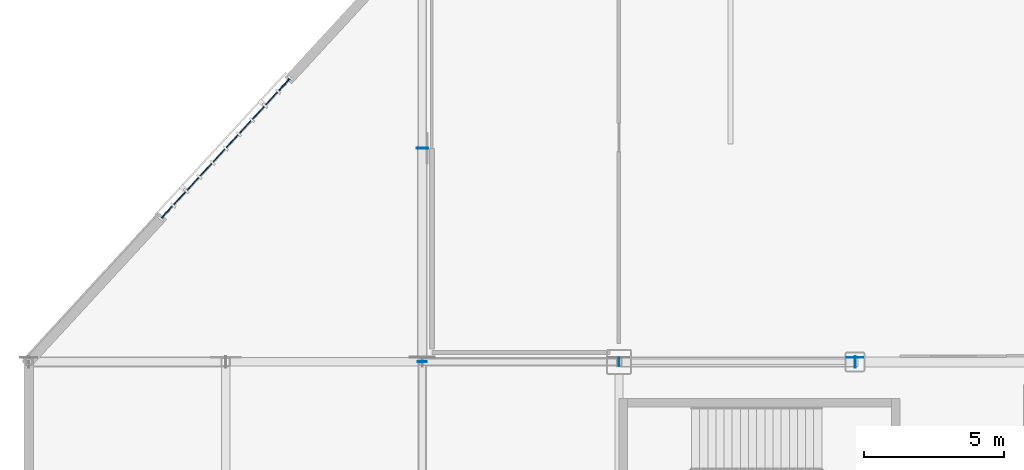
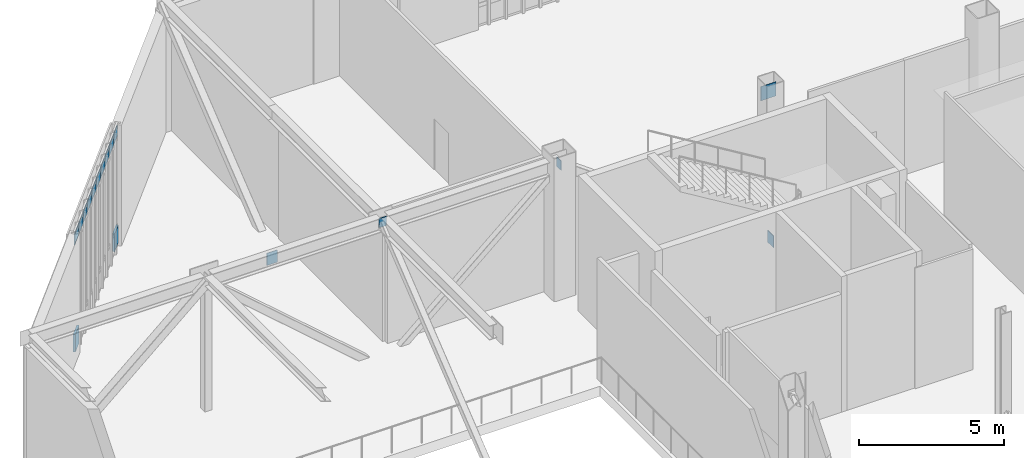
# One storey, part 95 of 135: 17 plates, 1 element without a shape of its own.
"""IFC4 building model written with IfcOpenShell, lengths in metres."""

from ifc_helpers import new_model, si_unit, direction, frame, origin, origin_2d, place, context, subcontext, project, spatial, rectangle, extrude, material, layer, layer_set, type_object, element, aggregate, save


model = new_model("IFC4")

# Units and contexts
model_context = context("Model", 3, precision=1e-05, world=origin(), true_north=direction((0.0, 1.0)))
body_context = subcontext(model_context, "Body", "Model", "MODEL_VIEW")
ifc_project = project(units=[si_unit("LENGTHUNIT", "METRE"), si_unit("AREAUNIT", "SQUARE_METRE"), si_unit("VOLUMEUNIT", "CUBIC_METRE"), si_unit("PLANEANGLEUNIT", "RADIAN"), si_unit("MASSUNIT", "GRAM", prefix="KILO")], contexts=[model_context])

# Site, building, storey
site_placement = place(None, origin())
site = spatial("IfcSite", under=ifc_project, at=site_placement, CompositionType="ELEMENT")
building_placement = place(site_placement, origin())
building = spatial("IfcBuilding", under=site, at=building_placement, Name="Larkvane Passage Sports Hall", CompositionType="ELEMENT")
storey_placement = place(building_placement, frame((0.0, 0.0, 10.800048828125)))
storey = spatial("IfcBuildingStorey", under=building, at=storey_placement, Name="L02", CompositionType="ELEMENT", Elevation=10.800048828125)

# Curtain wall, plates
ifc_material_1 = material(Name="Thermally broken aluminium and low-E glazing", Category="aluminium")
curtain_wall_type = type_object("IfcCurtainWallType", Name="CW-UNIT-VEIL", PredefinedType="USERDEFINED", material=ifc_material_1)
curtain_wall_placement = place(storey_placement, origin())
curtain_wall = element("IfcCurtainWall", 1, at=curtain_wall_placement, inside=storey, type_object=curtain_wall_type, Name="Curtain wall CW5-L02-097", ObjectType="UNITISED CURTAIN WALL", PredefinedType="USERDEFINED")
ifc_material_2 = material(Name="Mineral-wool insulated spandrel cassette")
ifc_layer_1 = layer(ifc_material_2, 0.0849609375)
ifc_layer_set_1 = layer_set([ifc_layer_1], Name="Mineral-wool insulated spandrel cassette")
plate_type_1 = type_object("IfcPlateType", Name="CWP-SPD-85", PredefinedType="CURTAIN_PANEL", material=ifc_layer_set_1)
plate_1_placement = place(storey_placement, frame((18.712646484375, 96.933837890625, 0.07470703125), z_axis=(0.0, 0.0, 1.0), x_axis=(0.677475341367, 0.735545485908, 0.0)))
plate_1 = element("IfcPlate", 2, at=plate_1_placement, type_object=plate_type_1, Name="CW-02 panel 1.1", PredefinedType="CURTAIN_PANEL", context=body_context, shape_type="SweptSolid", body=[
    extrude(rectangle(XDim=0.576416015625, YDim=0.0849609375, at=origin_2d()), origin(), (0.0, 0.0, 1.0), 0.737548828125),
])
plate_2_placement = place(storey_placement, frame((22.88720703125, 101.466064453125, 0.07470703125), z_axis=(0.0, 0.0, 1.0), x_axis=(0.677475341367, 0.735545485908, 0.0)))
plate_2 = element("IfcPlate", 3, at=plate_2_placement, type_object=plate_type_1, Name="CW-02 panel 10.1", PredefinedType="CURTAIN_PANEL", context=body_context, shape_type="SweptSolid", body=[
    extrude(rectangle(XDim=0.576416015625, YDim=0.0849609375, at=origin_2d()), origin(), (0.0, 0.0, 1.0), 0.737548828125),
])
ifc_material_3 = material(Name="Laminated acoustic low-E glazing", Category="glass")
ifc_layer_2 = layer(ifc_material_3, 0.031982421875)
ifc_layer_set_2 = layer_set([ifc_layer_2], Name="Laminated acoustic low-E glazing")
plate_type_2 = type_object("IfcPlateType", Name="CWP-VIS-32", PredefinedType="CURTAIN_PANEL", material=ifc_layer_set_2)
plate_3_placement = place(storey_placement, frame((18.712646484375, 96.933837890625, 4.5673828125), z_axis=(0.0, 0.0, 1.0), x_axis=(0.677475341367, 0.735545485908, 0.0)))
plate_3 = element("IfcPlate", 4, at=plate_3_placement, type_object=plate_type_2, Name="CW-02 panel 1.3", PredefinedType="CURTAIN_PANEL", context=body_context, shape_type="SweptSolid", body=[
    extrude(rectangle(XDim=0.576416015625, YDim=0.031982421875, at=origin_2d()), origin(), (0.0, 0.0, 1.0), 0.4375),
])
plate_4_placement = place(storey_placement, frame((19.166748046875, 97.4267578125, 4.5673828125), z_axis=(0.0, 0.0, 1.0), x_axis=(0.677475341367, 0.735545485908, 0.0)))
plate_4 = element("IfcPlate", 5, at=plate_4_placement, type_object=plate_type_2, Name="CW-02 panel 2.3", PredefinedType="CURTAIN_PANEL", context=body_context, shape_type="SweptSolid", body=[
    extrude(rectangle(XDim=0.61376953125, YDim=0.031982421875, at=origin_2d()), origin(), (0.0, 0.0, 1.0), 0.4375),
])
plate_5_placement = place(storey_placement, frame((19.63330078125, 97.933349609375, 4.5673828125), z_axis=(0.0, 0.0, 1.0), x_axis=(0.677475341367, 0.735545485908, 0.0)))
plate_5 = element("IfcPlate", 6, at=plate_5_placement, type_object=plate_type_2, Name="CW-02 panel 3.3", PredefinedType="CURTAIN_PANEL", context=body_context, shape_type="SweptSolid", body=[
    extrude(rectangle(XDim=0.61376953125, YDim=0.031982421875, at=origin_2d()), origin(), (0.0, 0.0, 1.0), 0.4375),
])
plate_6_placement = place(storey_placement, frame((20.10009765625, 98.43994140625, 4.5673828125), z_axis=(0.0, 0.0, 1.0), x_axis=(0.677475341367, 0.735545485908, 0.0)))
plate_6 = element("IfcPlate", 7, at=plate_6_placement, type_object=plate_type_2, Name="CW-02 panel 4.3", PredefinedType="CURTAIN_PANEL", context=body_context, shape_type="SweptSolid", body=[
    extrude(rectangle(XDim=0.61376953125, YDim=0.031982421875, at=origin_2d()), origin(), (0.0, 0.0, 1.0), 0.4375),
])
plate_7_placement = place(storey_placement, frame((20.566650390625, 98.94677734375, 4.5673828125), z_axis=(0.0, 0.0, 1.0), x_axis=(0.677475341367, 0.735545485908, 0.0)))
plate_7 = element("IfcPlate", 8, at=plate_7_placement, type_object=plate_type_2, Name="CW-02 panel 5.3", PredefinedType="CURTAIN_PANEL", context=body_context, shape_type="SweptSolid", body=[
    extrude(rectangle(XDim=0.61376953125, YDim=0.031982421875, at=origin_2d()), origin(), (0.0, 0.0, 1.0), 0.4375),
])
plate_8_placement = place(storey_placement, frame((21.033447265625, 99.453369140625, 4.5673828125), z_axis=(0.0, 0.0, 1.0), x_axis=(0.677475341367, 0.735545485908, 0.0)))
plate_8 = element("IfcPlate", 9, at=plate_8_placement, type_object=plate_type_2, Name="CW-02 panel 6.3", PredefinedType="CURTAIN_PANEL", context=body_context, shape_type="SweptSolid", body=[
    extrude(rectangle(XDim=0.61376953125, YDim=0.031982421875, at=origin_2d()), origin(), (0.0, 0.0, 1.0), 0.4375),
])
plate_9_placement = place(storey_placement, frame((21.5, 99.9599609375, 4.5673828125), z_axis=(0.0, 0.0, 1.0), x_axis=(0.677475341367, 0.735545485908, 0.0)))
plate_9 = element("IfcPlate", 10, at=plate_9_placement, type_object=plate_type_2, Name="CW-02 panel 7.3", PredefinedType="CURTAIN_PANEL", context=body_context, shape_type="SweptSolid", body=[
    extrude(rectangle(XDim=0.61376953125, YDim=0.031982421875, at=origin_2d()), origin(), (0.0, 0.0, 1.0), 0.4375),
])
plate_10_placement = place(storey_placement, frame((21.966552734375, 100.466552734375, 4.5673828125), z_axis=(0.0, 0.0, 1.0), x_axis=(0.677475341367, 0.735545485908, 0.0)))
plate_10 = element("IfcPlate", 11, at=plate_10_placement, type_object=plate_type_2, Name="CW-02 panel 8.3", PredefinedType="CURTAIN_PANEL", context=body_context, shape_type="SweptSolid", body=[
    extrude(rectangle(XDim=0.61376953125, YDim=0.031982421875, at=origin_2d()), origin(), (0.0, 0.0, 1.0), 0.4375),
])
plate_11_placement = place(storey_placement, frame((22.433349609375, 100.973388671875, 4.5673828125), z_axis=(0.0, 0.0, 1.0), x_axis=(0.677475341367, 0.735545485908, 0.0)))
plate_11 = element("IfcPlate", 12, at=plate_11_placement, type_object=plate_type_2, Name="CW-02 panel 9.3", PredefinedType="CURTAIN_PANEL", context=body_context, shape_type="SweptSolid", body=[
    extrude(rectangle(XDim=0.61376953125, YDim=0.031982421875, at=origin_2d()), origin(), (0.0, 0.0, 1.0), 0.4375),
])
plate_12_placement = place(storey_placement, frame((22.88720703125, 101.466064453125, 4.5673828125), z_axis=(0.0, 0.0, 1.0), x_axis=(0.677475341367, 0.735545485908, 0.0)))
plate_12 = element("IfcPlate", 13, at=plate_12_placement, type_object=plate_type_2, Name="CW-02 panel 10.3", PredefinedType="CURTAIN_PANEL", context=body_context, shape_type="SweptSolid", body=[
    extrude(rectangle(XDim=0.576416015625, YDim=0.031982421875, at=origin_2d()), origin(), (0.0, 0.0, 1.0), 0.4375),
])
aggregate(curtain_wall, [plate_1, plate_3, plate_4, plate_5, plate_6, plate_7, plate_8, plate_9, plate_10, plate_11, plate_2, plate_12])

# Plates
ifc_material_4 = material(Name="Steel S355JR", Category="steel")
ifc_layer_3 = layer(ifc_material_4, 0.011962890625)
ifc_layer_set_3 = layer_set([ifc_layer_3], Name="Steel S355JR")
plate_type_3 = type_object("IfcPlateType", Name="PLT-CAP-12", PredefinedType="SHEET", material=ifc_layer_set_3)
plate_13_placement = place(storey_placement, frame((34.804443359375, 91.60009765625, 5.19384765625), z_axis=(0.0, 0.0, 1.0), x_axis=(0.0, 1.0, 0.0)))
element("IfcPlate", 14, at=plate_13_placement, inside=storey, type_object=plate_type_3, Name="Hollow section sealed end cap plate 0101", PredefinedType="SHEET", context=body_context, shape_type="SweptSolid", body=[
    extrude(rectangle(XDim=0.31005859375, YDim=0.028076171875, at=origin_2d()), origin(), (0.0, 0.0, 1.0), 0.39208984375),
])
plate_14_placement = place(storey_placement, frame((27.800048828125, 91.604736328125, 5.19921875), z_axis=(0.0, 0.0, 1.0), x_axis=(-1.0, 0.0, 0.0)))
element("IfcPlate", 15, at=plate_14_placement, inside=storey, type_object=plate_type_3, Name="Hollow section sealed end cap plate 0137", PredefinedType="SHEET", context=body_context, shape_type="SweptSolid", body=[
    extrude(rectangle(XDim=0.31005859375, YDim=0.028076171875, at=origin_2d()), origin(), (0.0, 0.0, 1.0), 0.381103515625),
])
ifc_material_5 = material(Name="Steel S460N", Category="steel")
ifc_layer_4 = layer(ifc_material_5, 0.02001953125)
ifc_layer_set_4 = layer_set([ifc_layer_4], Name="Steel S460N")
plate_type_4 = type_object("IfcPlateType", Name="PLT-CAP-20", PredefinedType="SHEET", material=ifc_layer_set_4)
plate_15_placement = place(storey_placement, frame((43.2080078125, 91.60009765625, -0.96630859375), z_axis=(0.0, 0.0, 1.0), x_axis=(0.0, 1.0, 0.0)))
element("IfcPlate", 16, at=plate_15_placement, inside=storey, type_object=plate_type_4, Name="Hollow section sealed end cap plate 0102", PredefinedType="SHEET", context=body_context, shape_type="SweptSolid", body=[
    extrude(rectangle(XDim=0.409912109375, YDim=0.028076171875, at=origin_2d()), origin(), (0.0, 0.0, 1.0), 0.492919921875),
])
plate_16_placement = place(storey_placement, frame((27.800048828125, 99.207763671875, -0.97509765625), z_axis=(0.0, 0.0, 1.0), x_axis=(-1.0, 0.0, 0.0)))
element("IfcPlate", 17, at=plate_16_placement, inside=storey, type_object=plate_type_4, Name="Hollow section sealed end cap plate 0138", PredefinedType="SHEET", context=body_context, shape_type="SweptSolid", body=[
    extrude(rectangle(XDim=0.409912109375, YDim=0.028076171875, at=origin_2d()), origin(), (0.0, 0.0, 1.0), 0.509033203125),
])
ifc_layer_5 = layer(ifc_material_5, 0.01611328125)
ifc_layer_set_5 = layer_set([ifc_layer_5], Name="Steel S460N")
plate_type_5 = type_object("IfcPlateType", Name="PLT-GUS-16", PredefinedType="USERDEFINED", material=ifc_layer_set_5)
plate_17_placement = place(storey_placement, frame((43.199951171875, 91.758056640625, 5.0859375), z_axis=(0.0, 0.0, 1.0), x_axis=(1.0, 0.0, 0.0)))
element("IfcPlate", 18, at=plate_17_placement, inside=storey, type_object=plate_type_5, Name="Truss node gusset plate ND-5T (CT-W2A-2)", ObjectType="GUSSET PLATE", PredefinedType="USERDEFINED", context=body_context, shape_type="SweptSolid", body=[
    extrude(rectangle(XDim=0.60009765625, YDim=0.01611328125, at=origin_2d()), origin(), (0.0, 0.0, 1.0), 0.60009765625),
])

save(model, "model.ifc")
